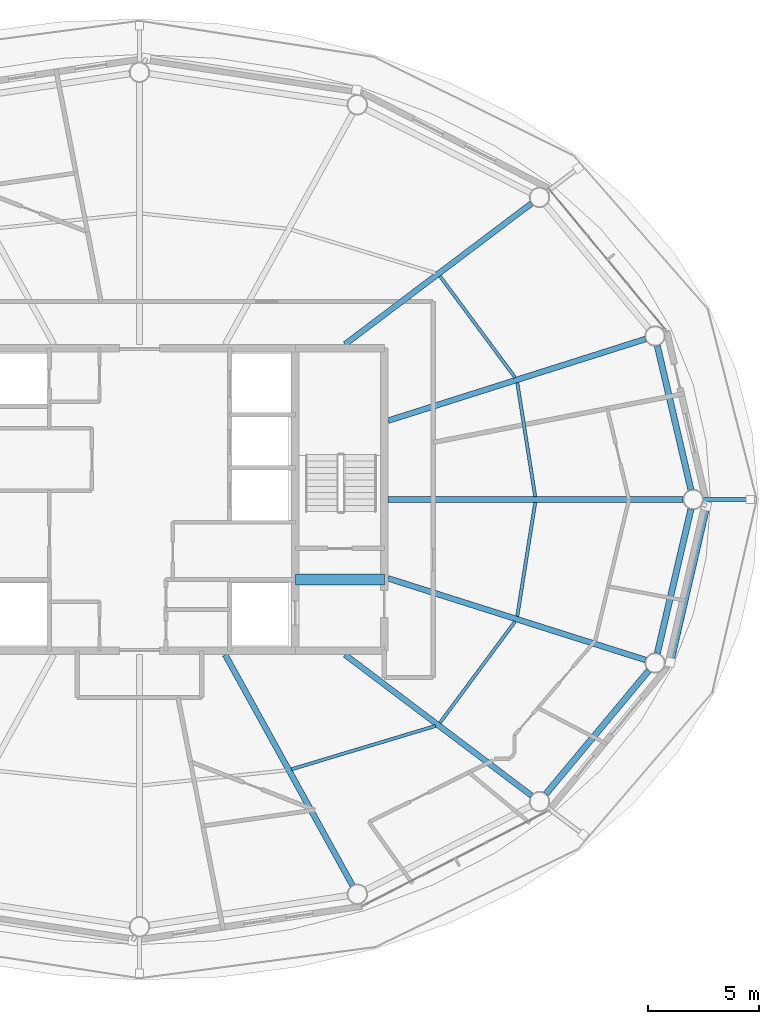
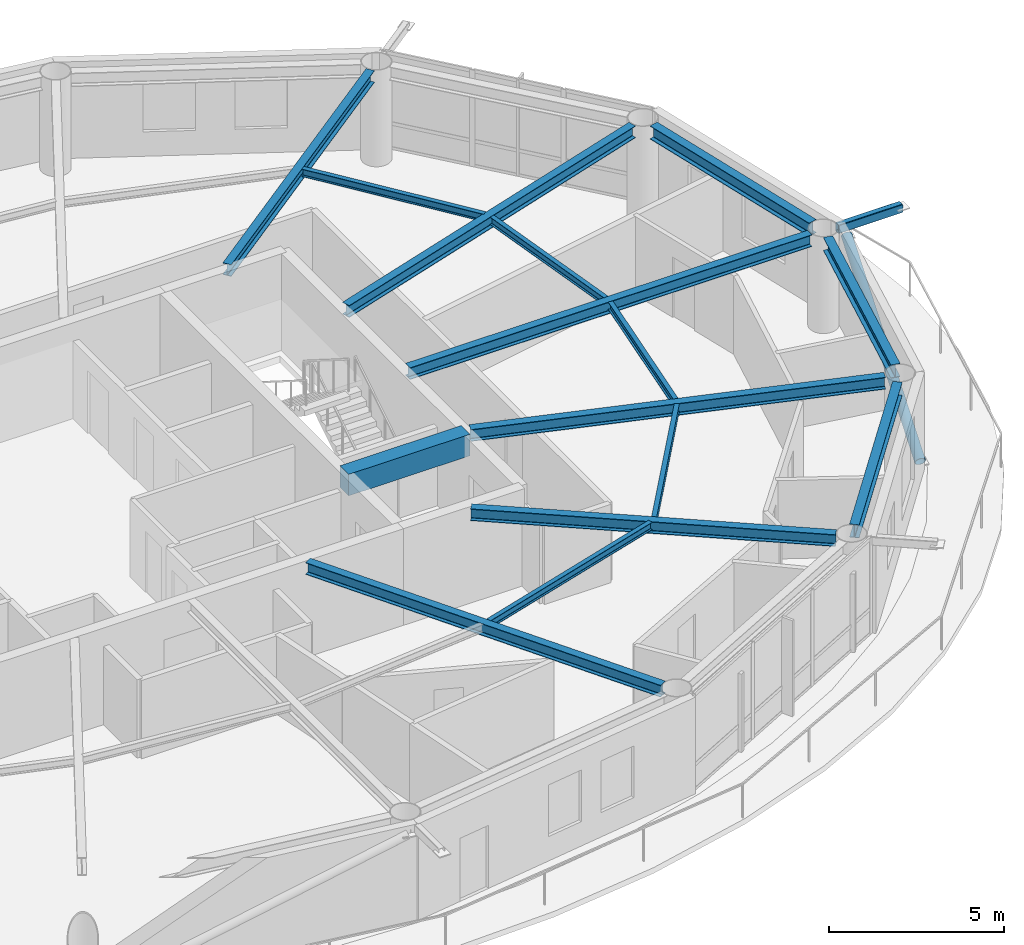
# One storey, part 6 of 21: 15 beams, 2 members.
"""IFC4 building model written with IfcOpenShell, lengths in metres."""

from ifc_helpers import new_model, si_unit, direction, frame, origin, origin_2d, place, context, subcontext, project, spatial, rectangle, hollow_rectangle, hollow_circle, i_section, extrude, material, material_profile, profile_set, type_object, element, save


model = new_model("IFC4")

# Units and contexts
model_context = context("Model", 3, precision=1e-05, world=origin(), true_north=direction((0.0, 1.0)))
body_context = subcontext(model_context, "Body", "Model", "MODEL_VIEW")
ifc_project = project(units=[si_unit("LENGTHUNIT", "METRE"), si_unit("AREAUNIT", "SQUARE_METRE"), si_unit("VOLUMEUNIT", "CUBIC_METRE"), si_unit("PLANEANGLEUNIT", "RADIAN"), si_unit("MASSUNIT", "GRAM", prefix="KILO")], contexts=[model_context])

# Site, building, storey
site_placement = place(None, origin())
site = spatial("IfcSite", under=ifc_project, at=site_placement, CompositionType="ELEMENT")
building_placement = place(site_placement, origin())
building = spatial("IfcBuilding", under=site, at=building_placement, Name="Sarneth Arch Tower", CompositionType="ELEMENT")
storey_placement = place(building_placement, frame((0.0, 0.0, 309.0)))
storey = spatial("IfcBuildingStorey", under=building, at=storey_placement, Name="L80", CompositionType="ELEMENT", Elevation=309.0)

# Beams
ifc_material_1 = material(Name="Steel S355", Category="steel")
ifc_material_profile_1 = material_profile(ifc_material_1, i_section(OverallWidth=0.14794921875, OverallDepth=0.26611328125, WebThickness=0.007568359375, FlangeThickness=0.012939453125, FilletRadius=0.012939453125, at=origin_2d()), Name="W250x44.8")
ifc_profile_set_1 = profile_set([ifc_material_profile_1], Name="Steel S355")
beam_type_1 = type_object("IfcBeamType", Name="BM-JOIST-250", PredefinedType="JOIST", material=ifc_profile_set_1)
beam_1_placement = place(storey_placement, frame((65.783935546875, 42.12841796875, 3.237060546875), z_axis=(-0.155556266572, 0.987827033407, 0.0), x_axis=(-0.987827033407, -0.155556266572, 0.0)))
element("IfcBeam", 1, at=beam_1_placement, inside=storey, type_object=beam_type_1, Name="L80 Secondary floor joist 01", PredefinedType="JOIST", context=body_context, shape_type="SweptSolid", body=[
    extrude(i_section(OverallWidth=0.14794921875, OverallDepth=0.26611328125, WebThickness=0.007568359375, FlangeThickness=0.012939453125, FilletRadius=0.012939453125, at=origin_2d()), origin(), (0.0, 0.0, 1.0), 5.183837890625),
])
beam_2_placement = place(storey_placement, frame((64.880126953125, 47.482177734375, 3.237060546875), z_axis=(-0.595712519616, 0.803197730309, 0.0), x_axis=(-0.803197730309, -0.595712519616, 0.0)))
element("IfcBeam", 2, at=beam_2_placement, inside=storey, type_object=beam_type_1, Name="L80 Secondary floor joist 02", PredefinedType="JOIST", context=body_context, shape_type="SweptSolid", body=[
    extrude(i_section(OverallWidth=0.14794921875, OverallDepth=0.26611328125, WebThickness=0.007568359375, FlangeThickness=0.012939453125, FilletRadius=0.012939453125, at=origin_2d()), origin(), (0.0, 0.0, 1.0), 5.669189453125),
])
beam_3_placement = place(storey_placement, frame((54.836181640625, 29.877685546875, 3.237060546875), z_axis=(0.95760703602, 0.288077705776, 0.0), x_axis=(-0.288077705776, 0.95760703602, 0.0)))
element("IfcBeam", 3, at=beam_3_placement, inside=storey, type_object=beam_type_1, Name="L80 Secondary floor joist 14", PredefinedType="JOIST", context=body_context, shape_type="SweptSolid", body=[
    extrude(i_section(OverallWidth=0.14794921875, OverallDepth=0.26611328125, WebThickness=0.007568359375, FlangeThickness=0.012939453125, FilletRadius=0.012939453125, at=origin_2d()), origin(), (0.0, 0.0, 1.0), 6.7509765625),
])
beam_4_placement = place(storey_placement, frame((61.5029296875, 31.96435546875, 3.237060546875), z_axis=(0.595712519616, 0.803197730309, 0.0), x_axis=(-0.803197730309, 0.595712519616, 0.0)))
element("IfcBeam", 4, at=beam_4_placement, inside=storey, type_object=beam_type_1, Name="L80 Secondary floor joist 15", PredefinedType="JOIST", context=body_context, shape_type="SweptSolid", body=[
    extrude(i_section(OverallWidth=0.14794921875, OverallDepth=0.26611328125, WebThickness=0.007568359375, FlangeThickness=0.012939453125, FilletRadius=0.012939453125, at=origin_2d()), origin(), (0.0, 0.0, 1.0), 5.669189453125),
])
beam_5_placement = place(storey_placement, frame((64.9775390625, 36.750732421875, 3.237060546875), z_axis=(0.155556266572, 0.987827033407, 0.0), x_axis=(-0.987827033407, 0.155556266572, 0.0)))
element("IfcBeam", 5, at=beam_5_placement, inside=storey, type_object=beam_type_1, Name="L80 Secondary floor joist 16", PredefinedType="JOIST", context=body_context, shape_type="SweptSolid", body=[
    extrude(i_section(OverallWidth=0.14794921875, OverallDepth=0.26611328125, WebThickness=0.007568359375, FlangeThickness=0.012939453125, FilletRadius=0.012939453125, at=origin_2d()), origin(), (0.0, 0.0, 1.0), 5.183837890625),
])
ifc_material_2 = material(Name="Concrete C50/60", Category="concrete")
ifc_material_profile_2 = material_profile(ifc_material_2, rectangle(XDim=0.5, YDim=0.75, at=origin_2d()), Name="RC-500x750")
ifc_profile_set_2 = profile_set([ifc_material_profile_2], Name="Concrete C50/60")
beam_type_2 = type_object("IfcBeamType", Name="BM-LINTEL-RC", PredefinedType="LINTEL", material=ifc_profile_set_2)
beam_6_placement = place(storey_placement, frame((55.0, 38.39990234375, 2.9951171875), z_axis=(1.0, 0.0, 0.0), x_axis=(0.0, 1.0, 0.0)))
element("IfcBeam", 6, at=beam_6_placement, inside=storey, type_object=beam_type_2, Name="L80 Core coupling lintel E", PredefinedType="LINTEL", context=body_context, shape_type="SweptSolid", body=[
    extrude(rectangle(XDim=0.5, YDim=0.75, at=origin_2d()), origin(), (0.0, 0.0, 1.0), 4.0),
])
ifc_material_3 = material(Name="Steel S355", Category="steel")
ifc_material_profile_3 = material_profile(ifc_material_3, i_section(OverallWidth=0.260009765625, OverallDepth=0.4150390625, WebThickness=0.010009765625, FlangeThickness=0.016845703125, FilletRadius=0.01611328125, at=origin_2d()), Name="W410x100")
ifc_profile_set_3 = profile_set([ifc_material_profile_3], Name="Steel S355")
beam_type_3 = type_object("IfcBeamType", Name="BM-RAD-410A", PredefinedType="BEAM", material=ifc_profile_set_3)
beam_7_placement = place(storey_placement, frame((59.175048828125, 42.0, 3.16259765625), z_axis=(1.0, 0.0, 0.0), x_axis=(0.0, 1.0, 0.0)))
element("IfcBeam", 7, at=beam_7_placement, inside=storey, type_object=beam_type_3, Name="L80 Radial floor girder 01", PredefinedType="BEAM", context=body_context, shape_type="SweptSolid", body=[
    extrude(i_section(OverallWidth=0.260009765625, OverallDepth=0.4150390625, WebThickness=0.010009765625, FlangeThickness=0.016845703125, FilletRadius=0.01611328125, at=origin_2d()), origin(), (0.0, 0.0, 1.0), 13.258056640625),
])
beam_8_placement = place(storey_placement, frame((59.175048828125, 45.5439453125, 3.16259765625), z_axis=(0.95321762769, 0.302284889237, 0.0), x_axis=(-0.302284889237, 0.95321762769, 0.0)))
element("IfcBeam", 8, at=beam_8_placement, inside=storey, type_object=beam_type_3, Name="L80 Radial floor girder 02", PredefinedType="BEAM", context=body_context, shape_type="SweptSolid", body=[
    extrude(i_section(OverallWidth=0.260009765625, OverallDepth=0.4150390625, WebThickness=0.010009765625, FlangeThickness=0.016845703125, FilletRadius=0.01611328125, at=origin_2d()), origin(), (0.0, 0.0, 1.0), 12.132568359375),
])
beam_9_placement = place(storey_placement, frame((57.23486328125, 48.97509765625, 3.16259765625), z_axis=(0.797981595352, 0.602681817777, 0.0), x_axis=(-0.602681817777, 0.797981595352, 0.0)))
element("IfcBeam", 9, at=beam_9_placement, inside=storey, type_object=beam_type_3, Name="L80 Radial floor girder 03", PredefinedType="BEAM", context=body_context, shape_type="SweptSolid", body=[
    extrude(i_section(OverallWidth=0.260009765625, OverallDepth=0.4150390625, WebThickness=0.010009765625, FlangeThickness=0.016845703125, FilletRadius=0.01611328125, at=origin_2d()), origin(), (0.0, 0.0, 1.0), 10.503173828125),
])
beam_10_placement = place(storey_placement, frame((51.849853515625, 35.02490234375, 3.16259765625), z_axis=(0.483229367873, -0.875493790969, 0.0), x_axis=(0.875493790969, 0.483229367873, 0.0)))
element("IfcBeam", 10, at=beam_10_placement, inside=storey, type_object=beam_type_3, Name="L80 Radial floor girder 14", PredefinedType="BEAM", context=body_context, shape_type="SweptSolid", body=[
    extrude(i_section(OverallWidth=0.260009765625, OverallDepth=0.4150390625, WebThickness=0.010009765625, FlangeThickness=0.016845703125, FilletRadius=0.01611328125, at=origin_2d()), origin(), (0.0, 0.0, 1.0), 11.843994140625),
])
beam_11_placement = place(storey_placement, frame((57.23486328125, 35.02490234375, 3.16259765625), z_axis=(0.797981595352, -0.602681817777, 0.0), x_axis=(0.602681817777, 0.797981595352, 0.0)))
element("IfcBeam", 11, at=beam_11_placement, inside=storey, type_object=beam_type_3, Name="L80 Radial floor girder 15", PredefinedType="BEAM", context=body_context, shape_type="SweptSolid", body=[
    extrude(i_section(OverallWidth=0.260009765625, OverallDepth=0.4150390625, WebThickness=0.010009765625, FlangeThickness=0.016845703125, FilletRadius=0.01611328125, at=origin_2d()), origin(), (0.0, 0.0, 1.0), 10.503173828125),
])
beam_12_placement = place(storey_placement, frame((59.175048828125, 38.4560546875, 3.16259765625), z_axis=(0.95321762769, -0.302284889237, 0.0), x_axis=(0.302284889237, 0.95321762769, 0.0)))
element("IfcBeam", 12, at=beam_12_placement, inside=storey, type_object=beam_type_3, Name="L80 Radial floor girder 16", PredefinedType="BEAM", context=body_context, shape_type="SweptSolid", body=[
    extrude(i_section(OverallWidth=0.260009765625, OverallDepth=0.4150390625, WebThickness=0.010009765625, FlangeThickness=0.016845703125, FilletRadius=0.01611328125, at=origin_2d()), origin(), (0.0, 0.0, 1.0), 12.132568359375),
])
ifc_material_4 = material(Name="Steel S355", Category="steel")
ifc_material_profile_4 = material_profile(ifc_material_4, i_section(OverallWidth=0.280029296875, OverallDepth=0.462890625, WebThickness=0.0107421875, FlangeThickness=0.017333984375, FilletRadius=0.01806640625, at=origin_2d()), Name="W460x113")
ifc_profile_set_4 = profile_set([ifc_material_profile_4], Name="Steel S355")
beam_type_4 = type_object("IfcBeamType", Name="BM-RAD-460A", PredefinedType="BEAM", material=ifc_profile_set_4)
beam_13_placement = place(storey_placement, frame((72.781005859375, 42.438232421875, 3.138427734375), z_axis=(-0.227247037844, 0.973837144389, 0.0), x_axis=(-0.973837144389, -0.227247037844, 0.0)))
element("IfcBeam", 13, at=beam_13_placement, inside=storey, type_object=beam_type_4, Name="L80 Perimeter spandrel beam 01", PredefinedType="BEAM", context=body_context, shape_type="SweptSolid", body=[
    extrude(i_section(OverallWidth=0.280029296875, OverallDepth=0.462890625, WebThickness=0.0107421875, FlangeThickness=0.017333984375, FilletRadius=0.01806640625, at=origin_2d()), origin(), (0.0, 0.0, 1.0), 6.644775390625),
])
beam_14_placement = place(storey_placement, frame((66.263427734375, 28.769287109375, 3.138427734375), z_axis=(0.640390876881, 0.768049168222, 0.0), x_axis=(-0.768049168222, 0.640390876881, 0.0)))
element("IfcBeam", 14, at=beam_14_placement, inside=storey, type_object=beam_type_4, Name="L80 Perimeter spandrel beam 15", PredefinedType="BEAM", context=body_context, shape_type="SweptSolid", body=[
    extrude(i_section(OverallWidth=0.280029296875, OverallDepth=0.462890625, WebThickness=0.0107421875, FlangeThickness=0.017333984375, FilletRadius=0.01806640625, at=origin_2d()), origin(), (0.0, 0.0, 1.0), 7.2099609375),
])
beam_15_placement = place(storey_placement, frame((71.27099609375, 35.0908203125, 3.138427734375), z_axis=(0.227247037844, 0.973837144389, 0.0), x_axis=(-0.973837144389, 0.227247037844, 0.0)))
element("IfcBeam", 15, at=beam_15_placement, inside=storey, type_object=beam_type_4, Name="L80 Perimeter spandrel beam 16", PredefinedType="BEAM", context=body_context, shape_type="SweptSolid", body=[
    extrude(i_section(OverallWidth=0.280029296875, OverallDepth=0.462890625, WebThickness=0.0107421875, FlangeThickness=0.017333984375, FilletRadius=0.01806640625, at=origin_2d()), origin(), (0.0, 0.0, 1.0), 6.644775390625),
])

# Members
ifc_material_5 = material(Name="Steel S355", Category="steel")
ifc_material_profile_5 = material_profile(ifc_material_5, hollow_rectangle(XDim=0.199951171875, YDim=0.300048828125, WallThickness=0.012451171875, InnerFilletRadius=0.018798828125, OuterFilletRadius=0.03125, at=origin_2d()), Name="RHS300x200x12.5")
ifc_profile_set_5 = profile_set([ifc_material_profile_5], Name="Steel S355")
member_type_1 = type_object("IfcMemberType", Name="MEM-CANT-STRUT", PredefinedType="STRUT", material=ifc_profile_set_5)
member_1_placement = place(storey_placement, frame((73.333251953125, 42.0, 3.2099609375), z_axis=(1.0, 0.0, 0.0), x_axis=(0.0, 1.0, 0.0)))
element("IfcMember", 16, at=member_1_placement, inside=storey, type_object=member_type_1, Name="L80 Balcony cantilever bracket 01", PredefinedType="STRUT", context=body_context, shape_type="SweptSolid", body=[
    extrude(hollow_rectangle(XDim=0.199951171875, YDim=0.300048828125, WallThickness=0.012451171875, InnerFilletRadius=0.018798828125, OuterFilletRadius=0.03125, at=origin_2d()), origin(), (0.0, 0.0, 1.0), 2.108154296875),
])
ifc_material_6 = material(Name="Steel S355", Category="steel")
ifc_material_profile_6 = material_profile(ifc_material_6, hollow_circle(Radius=0.162109375, WallThickness=0.012451171875, at=origin_2d()), Name="CHS324x12.5")
ifc_profile_set_6 = profile_set([ifc_material_profile_6], Name="Steel S355")
member_type_2 = type_object("IfcMemberType", Name="MEM-DIAG-BR3", PredefinedType="BRACE", material=ifc_profile_set_6)
member_2_placement = place(storey_placement, frame((71.851806640625, 34.6845703125, 0.02001953125), z_axis=(0.207343373373, 0.896265487877, 0.392067469651), x_axis=(-0.974268900284, 0.225388797281, 0.0)))
element("IfcMember", 17, at=member_2_placement, inside=storey, type_object=member_type_2, Name="L80 Perimeter frame diagonal 16", PredefinedType="BRACE", context=body_context, shape_type="SweptSolid", body=[
    extrude(hollow_circle(Radius=0.162109375, WallThickness=0.012451171875, at=origin_2d()), origin(), (0.0, 0.0, 1.0), 7.836181640625),
])

save(model, "model.ifc")
